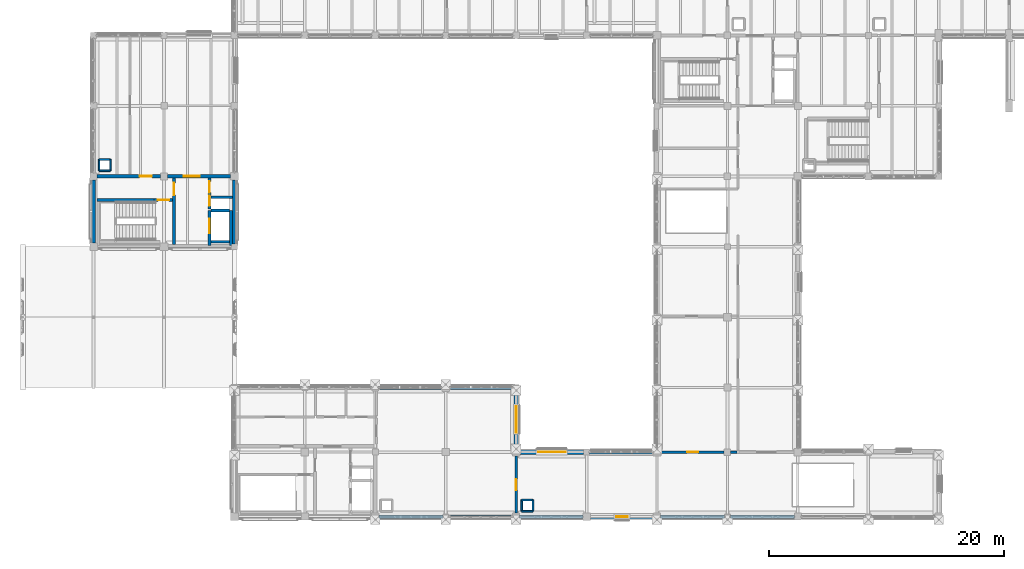
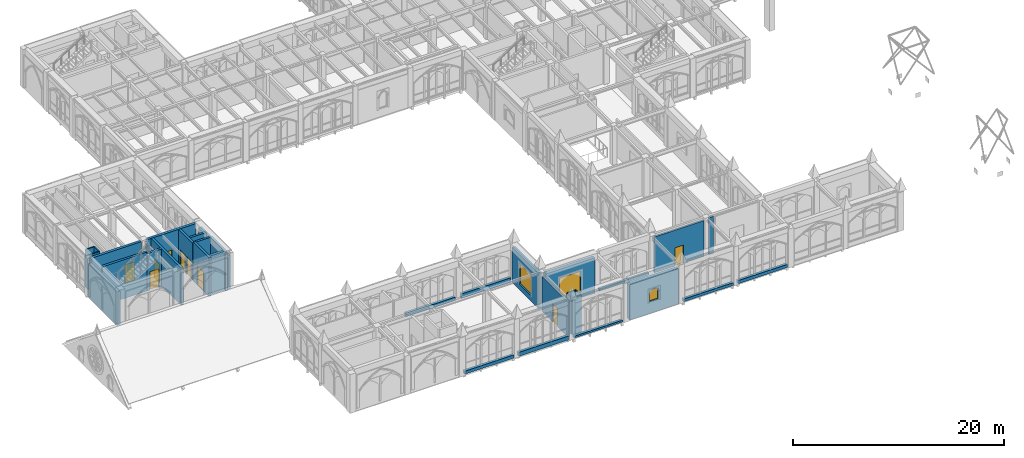
# One storey, part 102 of 143: 35 walls, 9 doors, 3 windows, 12 openings.
"""IFC4 building model written with IfcOpenShell, lengths in metres."""

from ifc_helpers import new_model, si_unit, direction, frame, frame_2d, origin, place, context, subcontext, project, spatial, rectangle, extrude, material, layer, layer_set, type_object, element, fill, save


model = new_model("IFC4")

# Units and contexts
model_context = context("Model", 3, precision=1e-05, world=origin(), true_north=direction((0.0, 1.0)))
body_context = subcontext(model_context, "Body", "Model", "MODEL_VIEW")
ifc_project = project(units=[si_unit("LENGTHUNIT", "METRE"), si_unit("AREAUNIT", "SQUARE_METRE"), si_unit("VOLUMEUNIT", "CUBIC_METRE"), si_unit("PLANEANGLEUNIT", "RADIAN"), si_unit("MASSUNIT", "GRAM", prefix="KILO")], contexts=[model_context])

# Site, building, storey
site_placement = place(None, origin())
site = spatial("IfcSite", under=ifc_project, at=site_placement, CompositionType="ELEMENT")
building_placement = place(site_placement, origin())
building = spatial("IfcBuilding", under=site, at=building_placement, Name="Cumevento Cable Car Station", CompositionType="ELEMENT")
storey_placement = place(building_placement, frame((0.0, 0.0, 9.0)))
storey = spatial("IfcBuildingStorey", under=building, at=storey_placement, Name="L03", CompositionType="ELEMENT", Elevation=9.0)

# Walls
ifc_material_1 = material(Name="Gnaisse Facoidal Stone Ashlar 85 MPa", Category="masonry")
ifc_layer_1 = layer(ifc_material_1, 0.294921875)
ifc_layer_set_1 = layer_set([ifc_layer_1], Name="Gnaisse Facoidal Stone Ashlar 85 MPa")
wall_type_1 = type_object("IfcWallType", Name="Exterior Envelope Wall EW-295 295", PredefinedType="SOLIDWALL", material=ifc_layer_set_1)
wall_1_placement = place(storey_placement, frame((39.75, 4.0, 0.0), z_axis=(0.0, 0.0, 1.0), x_axis=(-1.0, 0.0, 0.0)))
element("IfcWall", 1, at=wall_1_placement, inside=storey, type_object=wall_type_1, Name="Exterior Sill Curb Wall EW-295 L03 #183", PredefinedType="SOLIDWALL", context=body_context, shape_type="SweptSolid", body=[
    extrude(rectangle(XDim=5.425048828125, YDim=0.294921875, at=frame_2d((2.71240234375, 0.0))), origin(), (0.0, 0.0, 1.0), 0.360107421875),
])
wall_2_placement = place(storey_placement, frame((34.27490234375, 15.0, 0.0), z_axis=(0.0, 0.0, 1.0), x_axis=(1.0, 0.0, 0.0)))
element("IfcWall", 2, at=wall_2_placement, inside=storey, type_object=wall_type_1, Name="Exterior Sill Curb Wall EW-295 L03 #184", PredefinedType="SOLIDWALL", context=body_context, shape_type="SweptSolid", body=[
    extrude(rectangle(XDim=5.400146484375, YDim=0.294921875, at=frame_2d((2.7001953125, 0.0))), origin(), (0.0, 0.0, 1.0), 0.409912109375),
])
wall_3_placement = place(storey_placement, frame((45.699951171875, 4.0, 0.0), z_axis=(0.0, 0.0, 1.0), x_axis=(-1.0, 0.0, 0.0)))
element("IfcWall", 3, at=wall_3_placement, inside=storey, type_object=wall_type_1, Name="Exterior Sill Curb Wall EW-295 L03 #185", PredefinedType="SOLIDWALL", context=body_context, shape_type="SweptSolid", body=[
    extrude(rectangle(XDim=5.449951171875, YDim=0.294921875, at=frame_2d((2.72509765625, 0.0))), origin(), (0.0, 0.0, 1.0), 0.4599609375),
])
wall_4_placement = place(storey_placement, frame((40.324951171875, 15.0, 0.0), z_axis=(0.0, 0.0, 1.0), x_axis=(1.0, 0.0, 0.0)))
element("IfcWall", 4, at=wall_4_placement, inside=storey, type_object=wall_type_1, Name="Exterior Sill Curb Wall EW-295 L03 #186", PredefinedType="SOLIDWALL", context=body_context, shape_type="SweptSolid", body=[
    extrude(rectangle(XDim=5.425048828125, YDim=0.294921875, at=frame_2d((2.71240234375, 0.0))), origin(), (0.0, 0.0, 1.0), 0.52001953125),
])
wall_5_placement = place(storey_placement, frame((51.675048828125, 4.0, 0.0), z_axis=(0.0, 0.0, 1.0), x_axis=(-1.0, 0.0, 0.0)))
element("IfcWall", 5, at=wall_5_placement, inside=storey, type_object=wall_type_1, Name="Exterior Sill Curb Wall EW-295 L03 #190", PredefinedType="SOLIDWALL", context=body_context, shape_type="SweptSolid", body=[
    extrude(rectangle(XDim=5.375, YDim=0.294921875, at=frame_2d((2.6875, 0.0))), origin(), (0.0, 0.0, 1.0), 0.2099609375),
])
wall_6_placement = place(storey_placement, frame((52.25, 9.5, 0.0), z_axis=(0.0, 0.0, 1.0), x_axis=(1.0, 0.0, 0.0)))
element("IfcWall", 6, at=wall_6_placement, inside=storey, type_object=wall_type_1, Name="Exterior Sill Curb Wall EW-295 L03 #193", PredefinedType="SOLIDWALL", context=body_context, shape_type="SweptSolid", body=[
    extrude(rectangle(XDim=5.425048828125, YDim=0.294921875, at=frame_2d((2.71240234375, 0.0))), origin(), (0.0, 0.0, 1.0), 0.260009765625),
])
wall_7_placement = place(storey_placement, frame((63.75, 4.0, 0.0), z_axis=(0.0, 0.0, 1.0), x_axis=(-1.0, 0.0, 0.0)))
element("IfcWall", 7, at=wall_7_placement, inside=storey, type_object=wall_type_1, Name="Exterior Sill Curb Wall EW-295 L03 #194", PredefinedType="SOLIDWALL", context=body_context, shape_type="SweptSolid", body=[
    extrude(rectangle(XDim=5.449951171875, YDim=0.294921875, at=frame_2d((2.72509765625, 0.0))), origin(), (0.0, 0.0, 1.0), 0.31005859375),
])
wall_8_placement = place(storey_placement, frame((69.699951171875, 4.0, 0.0), z_axis=(0.0, 0.0, 1.0), x_axis=(-1.0, 0.0, 0.0)))
element("IfcWall", 8, at=wall_8_placement, inside=storey, type_object=wall_type_1, Name="Exterior Sill Curb Wall EW-295 L03 #195", PredefinedType="SOLIDWALL", context=body_context, shape_type="SweptSolid", body=[
    extrude(rectangle(XDim=5.449951171875, YDim=0.294921875, at=frame_2d((2.72509765625, 0.0))), origin(), (0.0, 0.0, 1.0), 0.360107421875),
])
ifc_material_2 = material(Name="Concrete C40/50", Category="concrete")
ifc_layer_2 = layer(ifc_material_2, 0.35498046875)
ifc_layer_set_2 = layer_set([ifc_layer_2], Name="Concrete C40/50")
wall_type_2 = type_object("IfcWallType", Name="Exterior Envelope Wall EW-355 355", PredefinedType="SOLIDWALL", material=ifc_layer_set_2)
wall_9_placement = place(storey_placement, frame((10.0, 27.324951171875, 0.0), z_axis=(0.0, 0.0, 1.0), x_axis=(0.0, 1.0, 0.0)))
element("IfcWall", 9, at=wall_9_placement, inside=storey, type_object=wall_type_2, Name="Exterior Wall EW-355 L03 #217", PredefinedType="SOLIDWALL", context=body_context, shape_type="SweptSolid", body=[
    extrude(rectangle(XDim=5.375, YDim=0.35498046875, at=frame_2d((2.6875, 0.0))), origin(), (0.0, 0.0, 1.0), 3.89306640625),
])
wall_10_placement = place(storey_placement, frame((22.0, 32.675048828125, 0.0), z_axis=(0.0, 0.0, 1.0), x_axis=(0.0, -1.0, 0.0)))
element("IfcWall", 10, at=wall_10_placement, inside=storey, type_object=wall_type_2, Name="Exterior Wall EW-355 L03 #218", PredefinedType="SOLIDWALL", context=body_context, shape_type="SweptSolid", body=[
    extrude(rectangle(XDim=5.425048828125, YDim=0.35498046875, at=frame_2d((2.71240234375, 0.0))), origin(), (0.0, 0.0, 1.0), 3.89306640625),
])

# Wall, opening, window
ifc_material_3 = material(Name="Concrete C40/50", Category="concrete")
ifc_layer_3 = layer(ifc_material_3, 0.3701171875)
ifc_layer_set_3 = layer_set([ifc_layer_3], Name="Concrete C40/50")
wall_type_3 = type_object("IfcWallType", Name="Exterior Envelope Wall EW-370 370", PredefinedType="SOLIDWALL", material=ifc_layer_set_3)
wall_11_placement = place(storey_placement, frame((46.0, 14.75, 0.0), z_axis=(0.0, 0.0, 1.0), x_axis=(0.0, -1.0, 0.0)))
wall_11 = element("IfcWall", 11, at=wall_11_placement, inside=storey, type_object=wall_type_3, Name="Exterior Wall EW-370 L03 #189", PredefinedType="SOLIDWALL", context=body_context, shape_type="SweptSolid", body=[
    extrude(rectangle(XDim=4.925048828125, YDim=0.3701171875, at=frame_2d((2.46240234375, 0.0))), origin(), (0.0, 0.0, 1.0), 4.093017578125),
])
opening_1_placement = place(wall_11_placement, frame((1.33740234375, 0.0, 0.64990234375)))
opening_1 = element("IfcOpeningElement", 12, at=opening_1_placement, cuts=wall_11, Name="Opening WN-L03-063", PredefinedType="OPENING", context=body_context, shape_type="SweptSolid", body=[
    extrude(rectangle(XDim=2.25, YDim=2.449951171875, at=frame_2d((1.125, 1.22509765625))), frame((0.0, 0.195068359375, 0.0), z_axis=(0.0, -1.0, 0.0), x_axis=(1.0, 0.0, 0.0)), (0.0, 0.0, 1.0), 0.39013671875),
])
ifc_material_4 = material(Name="Anodised Bronze Aluminium & Laminated Solar Glass", Category="aluminium")
window_type_1 = type_object("IfcWindowType", Name="Lancet Window WN-15 2250x2450", PartitioningType="DOUBLE_PANEL_VERTICAL", PredefinedType="WINDOW", material=ifc_material_4)
window_1_placement = place(opening_1_placement, origin())
window_1 = element("IfcWindow", 13, at=window_1_placement, inside=storey, type_object=window_type_1, Name="Lancet Window WN-L03-063 (WN-15)", OverallHeight=2.449951171875, OverallWidth=2.25, PartitioningType="SINGLE_PANEL", PredefinedType="WINDOW", context=body_context, shape_type="SweptSolid", body=[
    extrude(rectangle(XDim=2.25, YDim=2.449951171875, at=frame_2d((1.125, 1.22509765625))), frame((0.0, 0.030029296875, 0.0), z_axis=(0.0, -1.0, 0.0), x_axis=(1.0, 0.0, 0.0)), (0.0, 0.0, 1.0), 0.06005859375),
])
fill(opening_1, window_1)

ifc_material_5 = material(Name="Concrete C40/50", Category="concrete")
ifc_layer_4 = layer(ifc_material_5, 0.39990234375)
ifc_layer_set_4 = layer_set([ifc_layer_4], Name="Concrete C40/50")
wall_type_4 = type_object("IfcWallType", Name="Exterior Envelope Wall EW-400 400", PredefinedType="SOLIDWALL", material=ifc_layer_set_4)
wall_12_placement = place(storey_placement, frame((46.324951171875, 9.5, 0.0), z_axis=(0.0, 0.0, 1.0), x_axis=(1.0, 0.0, 0.0)))
wall_12 = element("IfcWall", 14, at=wall_12_placement, inside=storey, type_object=wall_type_4, Name="Exterior Wall EW-400 L03 #191", PredefinedType="SOLIDWALL", context=body_context, shape_type="SweptSolid", body=[
    extrude(rectangle(XDim=5.425048828125, YDim=0.39990234375, at=frame_2d((2.71240234375, 0.0))), origin(), (0.0, 0.0, 1.0), 4.093017578125),
])
opening_2_placement = place(wall_12_placement, frame((1.53759765625, 0.0, 0.64990234375)))
opening_2 = element("IfcOpeningElement", 15, at=opening_2_placement, cuts=wall_12, Name="Opening WN-L03-064", PredefinedType="OPENING", context=body_context, shape_type="SweptSolid", body=[
    extrude(rectangle(XDim=2.35009765625, YDim=2.449951171875, at=frame_2d((1.175048828125, 1.22509765625))), frame((0.0, 0.2099609375, 0.0), z_axis=(0.0, -1.0, 0.0), x_axis=(1.0, 0.0, 0.0)), (0.0, 0.0, 1.0), 0.419921875),
])
ifc_material_6 = material(Name="Anodised Bronze Aluminium & Laminated Solar Glass", Category="aluminium")
window_type_2 = type_object("IfcWindowType", Name="Lancet Window WN-16 2350x2450", PartitioningType="DOUBLE_PANEL_VERTICAL", PredefinedType="WINDOW", material=ifc_material_6)
window_2_placement = place(opening_2_placement, origin())
window_2 = element("IfcWindow", 16, at=window_2_placement, inside=storey, type_object=window_type_2, Name="Lancet Window WN-L03-064 (WN-16)", OverallHeight=2.449951171875, OverallWidth=2.35009765625, PartitioningType="SINGLE_PANEL", PredefinedType="WINDOW", context=body_context, shape_type="SweptSolid", body=[
    extrude(rectangle(XDim=2.35009765625, YDim=2.449951171875, at=frame_2d((1.175048828125, 1.22509765625))), frame((0.0, 0.030029296875, 0.0), z_axis=(0.0, -1.0, 0.0), x_axis=(1.0, 0.0, 0.0)), (0.0, 0.0, 1.0), 0.06005859375),
])
fill(opening_2, window_2)

ifc_material_7 = material(Name="Gnaisse Facoidal Stone Ashlar 85 MPa", Category="masonry")
ifc_layer_5 = layer(ifc_material_7, 0.4150390625)
ifc_layer_set_5 = layer_set([ifc_layer_5], Name="Gnaisse Facoidal Stone Ashlar 85 MPa")
wall_type_5 = type_object("IfcWallType", Name="Exterior Envelope Wall EW-415 415", PredefinedType="SOLIDWALL", material=ifc_layer_set_5)
wall_13_placement = place(storey_placement, frame((57.699951171875, 4.0, 0.0), z_axis=(0.0, 0.0, 1.0), x_axis=(-1.0, 0.0, 0.0)))
wall_13 = element("IfcWall", 17, at=wall_13_placement, inside=storey, type_object=wall_type_5, Name="Exterior Wall EW-415 L03 #192", PredefinedType="SOLIDWALL", context=body_context, shape_type="SweptSolid", body=[
    extrude(rectangle(XDim=5.375, YDim=0.4150390625, at=frame_2d((2.6875, 0.0))), origin(), (0.0, 0.0, 1.0), 4.093017578125),
])
opening_3_placement = place(wall_13_placement, frame((2.1875, 0.0, 1.35009765625)))
opening_3 = element("IfcOpeningElement", 18, at=opening_3_placement, cuts=wall_13, Name="Opening WN-L03-065", PredefinedType="OPENING", context=body_context, shape_type="SweptSolid", body=[
    extrude(rectangle(XDim=1.0, YDim=1.35009765625, at=frame_2d((0.5, 0.675048828125))), frame((0.0, 0.217529296875, 0.0), z_axis=(0.0, -1.0, 0.0), x_axis=(1.0, 0.0, 0.0)), (0.0, 0.0, 1.0), 0.43505859375),
])
ifc_material_8 = material(Name="Anodised Bronze Aluminium & Laminated Solar Glass", Category="aluminium")
window_type_3 = type_object("IfcWindowType", Name="Lancet Window WN-17 1000x1350", PartitioningType="SINGLE_PANEL", PredefinedType="WINDOW", material=ifc_material_8)
window_3_placement = place(opening_3_placement, origin())
window_3 = element("IfcWindow", 19, at=window_3_placement, inside=storey, type_object=window_type_3, Name="Lancet Window WN-L03-065 (WN-17)", OverallHeight=1.35009765625, OverallWidth=1.0, PartitioningType="SINGLE_PANEL", PredefinedType="WINDOW", context=body_context, shape_type="SweptSolid", body=[
    extrude(rectangle(XDim=1.0, YDim=1.35009765625, at=frame_2d((0.5, 0.675048828125))), frame((0.0, 0.030029296875, 0.0), z_axis=(0.0, -1.0, 0.0), x_axis=(1.0, 0.0, 0.0)), (0.0, 0.0, 1.0), 0.06005859375),
])
fill(opening_3, window_3)

# Wall, opening, door
ifc_material_9 = material(Name="Concrete C40/50", Category="concrete")
ifc_layer_6 = layer(ifc_material_9, 0.219970703125)
ifc_layer_set_6 = layer_set([ifc_layer_6], Name="Concrete C40/50")
wall_type_6 = type_object("IfcWallType", Name="Interior Partition FW-220 220", PredefinedType="SOLIDWALL", material=ifc_layer_set_6)
wall_14_placement = place(storey_placement, frame((46.0, 4.302001953125, 0.0), z_axis=(0.0, 0.0, 1.0), x_axis=(0.0, 1.0, 0.0)))
wall_14 = element("IfcWall", 20, at=wall_14_placement, inside=storey, type_object=wall_type_6, Name="Interior Wall FW-220 L03 #629", PredefinedType="SOLIDWALL", context=body_context, shape_type="SweptSolid", body=[
    extrude(rectangle(XDim=4.87109375, YDim=0.219970703125, at=frame_2d((2.435546875, 0.0))), origin(), (0.0, 0.0, 1.0), 4.04296875),
])
opening_4_placement = place(wall_14_placement, frame((1.965576171875, 0.0, 0.0)))
opening_4 = element("IfcOpeningElement", 21, at=opening_4_placement, cuts=wall_14, Name="Opening DR-L03-232", PredefinedType="OPENING", context=body_context, shape_type="SweptSolid", body=[
    extrude(rectangle(XDim=0.93994140625, YDim=2.10009765625, at=frame_2d((0.469970703125, 1.050048828125))), frame((0.0, 0.119873046875, 0.0), z_axis=(0.0, -1.0, 0.0), x_axis=(1.0, 0.0, 0.0)), (0.0, 0.0, 1.0), 0.239990234375),
])
ifc_material_10 = material(Name="Galvanised Painted Steel Fire Door", Category="steel")
door_type_1 = type_object("IfcDoorType", Name="Interior Door FD-08 940x2100", OperationType="NOTDEFINED", PredefinedType="DOOR", material=ifc_material_10)
door_1_placement = place(opening_4_placement, origin())
door_1 = element("IfcDoor", 22, at=door_1_placement, inside=storey, type_object=door_type_1, Name="Interior Door DR-L03-232 (FD-08)", OperationType="SINGLE_SWING_RIGHT", OverallHeight=2.10009765625, OverallWidth=0.93994140625, PredefinedType="DOOR", context=body_context, shape_type="SweptSolid", body=[
    extrude(rectangle(XDim=0.93994140625, YDim=2.10009765625, at=frame_2d((0.469970703125, 1.050048828125))), frame((0.0, 0.02490234375, 0.0), z_axis=(0.0, -1.0, 0.0), x_axis=(1.0, 0.0, 0.0)), (0.0, 0.0, 1.0), 0.050048828125),
])
fill(opening_4, door_1)

wall_15_placement = place(storey_placement, frame((58.326904296875, 9.5, 0.0), z_axis=(0.0, 0.0, 1.0), x_axis=(1.0, 0.0, 0.0)))
wall_15 = element("IfcWall", 23, at=wall_15_placement, inside=storey, type_object=wall_type_6, Name="Interior Wall FW-220 L03 #636", PredefinedType="SOLIDWALL", context=body_context, shape_type="SweptSolid", body=[
    extrude(rectangle(XDim=5.39599609375, YDim=0.219970703125, at=frame_2d((2.697998046875, 0.0))), origin(), (0.0, 0.0, 1.0), 4.14599609375),
])
opening_5_placement = place(wall_15_placement, frame((2.22802734375, 0.0, 0.0)))
opening_5 = element("IfcOpeningElement", 24, at=opening_5_placement, cuts=wall_15, Name="Opening DR-L03-237", PredefinedType="OPENING", context=body_context, shape_type="SweptSolid", body=[
    extrude(rectangle(XDim=0.93994140625, YDim=2.10009765625, at=frame_2d((0.469970703125, 1.050048828125))), frame((0.0, 0.119873046875, 0.0), z_axis=(0.0, -1.0, 0.0), x_axis=(1.0, 0.0, 0.0)), (0.0, 0.0, 1.0), 0.239990234375),
])
door_2_placement = place(opening_5_placement, origin())
door_2 = element("IfcDoor", 25, at=door_2_placement, inside=storey, type_object=door_type_1, Name="Interior Door DR-L03-237 (FD-08)", OperationType="SINGLE_SWING_LEFT", OverallHeight=2.10009765625, OverallWidth=0.93994140625, PredefinedType="DOOR", context=body_context, shape_type="SweptSolid", body=[
    extrude(rectangle(XDim=0.93994140625, YDim=2.10009765625, at=frame_2d((0.469970703125, 1.050048828125))), frame((0.0, 0.02490234375, 0.0), z_axis=(0.0, -1.0, 0.0), x_axis=(1.0, 0.0, 0.0)), (0.0, 0.0, 1.0), 0.050048828125),
])
fill(opening_5, door_2)

# Walls
wall_16_placement = place(storey_placement, frame((64.277099609375, 9.5, 0.0), z_axis=(0.0, 0.0, 1.0), x_axis=(1.0, 0.0, 0.0)))
element("IfcWall", 26, at=wall_16_placement, inside=storey, type_object=wall_type_6, Name="Interior Wall FW-220 L03 #637", PredefinedType="SOLIDWALL", context=body_context, shape_type="SweptSolid", body=[
    extrude(rectangle(XDim=0.52294921875, YDim=0.219970703125, at=frame_2d((0.261474609375, 0.0))), origin(), (0.0, 0.0, 1.0), 4.239990234375),
])
ifc_material_11 = material(Name="Gypsum Board & Insulated Stud Partition", Category="gypsum")
ifc_layer_7 = layer(ifc_material_11, 0.14501953125)
ifc_layer_set_7 = layer_set([ifc_layer_7], Name="Gypsum Board & Insulated Stud Partition")
wall_type_7 = type_object("IfcWallType", Name="Interior Partition PT-145 145", PredefinedType="PARTITIONING", material=ifc_layer_set_7)
for number, where, z_axis, x_axis, name in (
    (27, (46.469970703125, 4.469970703125, 0.0), (0.0, 0.0, 1.0), (1.0, 0.0, 0.0), "Interior Wall PT-145 L03 #13"),
    (28, (47.429931640625, 4.469970703125, 0.0), (0.0, 0.0, 1.0), (0.0, 1.0, 0.0), "Interior Wall PT-145 L03 #14"),
    (29, (47.429931640625, 5.429931640625, 0.0), (0.0, 0.0, 1.0), (-1.0, 0.0, 0.0), "Interior Wall PT-145 L03 #15"),
    (30, (46.469970703125, 5.429931640625, 0.0), (0.0, 0.0, 1.0), (0.0, -1.0, 0.0), "Interior Wall PT-145 L03 #16"),
):
    element("IfcWall", number, at=place(storey_placement, frame(where, z_axis=z_axis, x_axis=x_axis)), inside=storey, type_object=wall_type_7, Name=name, PredefinedType="PARTITIONING", context=body_context, shape_type="SweptSolid", body=[
        extrude(rectangle(XDim=0.9599609375, YDim=0.14501953125, at=frame_2d((0.47998046875, 0.0))), origin(), (0.0, 0.0, 1.0), 4.239990234375),
    ])
for number, where, z_axis, x_axis, name in (
    (31, (10.469970703125, 33.469970703125, 0.0), (0.0, 0.0, 1.0), (1.0, 0.0, 0.0), "Interior Wall PT-145 L03 #37"),
    (32, (11.429931640625, 33.469970703125, 0.0), (0.0, 0.0, 1.0), (0.0, 1.0, 0.0), "Interior Wall PT-145 L03 #38"),
    (33, (11.429931640625, 34.429931640625, 0.0), (0.0, 0.0, 1.0), (-1.0, 0.0, 0.0), "Interior Wall PT-145 L03 #39"),
    (34, (10.469970703125, 34.429931640625, 0.0), (0.0, 0.0, 1.0), (0.0, -1.0, 0.0), "Interior Wall PT-145 L03 #40"),
):
    element("IfcWall", number, at=place(storey_placement, frame(where, z_axis=z_axis, x_axis=x_axis)), inside=storey, type_object=wall_type_7, Name=name, PredefinedType="PARTITIONING", context=body_context, shape_type="SweptSolid", body=[
        extrude(rectangle(XDim=0.9599609375, YDim=0.14501953125, at=frame_2d((0.47998046875, 0.0))), origin(), (0.0, 0.0, 1.0), 4.300048828125),
    ])
ifc_material_12 = material(Name="Concrete C40/50", Category="concrete")
ifc_layer_8 = layer(ifc_material_12, 0.22998046875)
ifc_layer_set_8 = layer_set([ifc_layer_8], Name="Concrete C40/50")
wall_type_8 = type_object("IfcWallType", Name="Interior Shear Wall CW-230 230", PredefinedType="SHEAR", material=ifc_layer_set_8)
wall_17_placement = place(storey_placement, frame((20.0048828125, 27.419921875, 0.0), z_axis=(0.0, 0.0, 1.0), x_axis=(1.0, 0.0, 0.0)))
element("IfcWall", 35, at=wall_17_placement, inside=storey, type_object=wall_type_8, Name="Interior Wall CW-230 L03 #307", PredefinedType="SHEAR", context=body_context, shape_type="SweptSolid", body=[
    extrude(rectangle(XDim=1.580078125, YDim=0.22998046875, at=frame_2d((0.7900390625, 0.0))), origin(), (0.0, 0.0, 1.0), 4.5),
])
wall_18_placement = place(storey_placement, frame((21.699951171875, 27.114990234375, 0.0), z_axis=(0.0, 0.0, 1.0), x_axis=(0.0, 1.0, 0.0)))
element("IfcWall", 36, at=wall_18_placement, inside=storey, type_object=wall_type_8, Name="Interior Wall CW-230 L03 #308", PredefinedType="SHEAR", context=body_context, shape_type="SweptSolid", body=[
    extrude(rectangle(XDim=2.965087890625, YDim=0.22998046875, at=frame_2d((1.482421875, 0.0))), origin(), (0.0, 0.0, 1.0), 4.5),
])
wall_19_placement = place(storey_placement, frame((20.0048828125, 30.080078125, 0.0), z_axis=(0.0, 0.0, 1.0), x_axis=(1.0, 0.0, 0.0)))
element("IfcWall", 37, at=wall_19_placement, inside=storey, type_object=wall_type_8, Name="Interior Wall CW-230 L03 #309", PredefinedType="SHEAR", context=body_context, shape_type="SweptSolid", body=[
    extrude(rectangle(XDim=1.580078125, YDim=0.22998046875, at=frame_2d((0.7900390625, 0.0))), origin(), (0.0, 0.0, 1.0), 4.5),
])
wall_20_placement = place(storey_placement, frame((20.0048828125, 31.219970703125, 0.0), z_axis=(0.0, 0.0, 1.0), x_axis=(1.0, 0.0, 0.0)))
element("IfcWall", 38, at=wall_20_placement, inside=storey, type_object=wall_type_8, Name="Interior Wall CW-230 L03 #311", PredefinedType="SHEAR", context=body_context, shape_type="SweptSolid", body=[
    extrude(rectangle(XDim=1.820068359375, YDim=0.22998046875, at=frame_2d((0.91015625, 0.0))), origin(), (0.0, 0.0, 1.0), 4.300048828125),
])
ifc_material_13 = material(Name="Concrete C40/50", Category="concrete")
ifc_layer_9 = layer(ifc_material_13, 0.25)
ifc_layer_set_9 = layer_set([ifc_layer_9], Name="Concrete C40/50")
wall_type_9 = type_object("IfcWallType", Name="Interior Shear Wall CW-250 250", PredefinedType="SHEAR", material=ifc_layer_set_9)
wall_21_placement = place(storey_placement, frame((10.2900390625, 30.97509765625, 0.0), z_axis=(0.0, 0.0, 1.0), x_axis=(1.0, 0.0, 0.0)))
element("IfcWall", 39, at=wall_21_placement, inside=storey, type_object=wall_type_9, Name="Interior Wall CW-250 L03 #303", PredefinedType="SHEAR", context=body_context, shape_type="SweptSolid", body=[
    extrude(rectangle(XDim=4.869873046875, YDim=0.25, at=frame_2d((2.43505859375, 0.0))), origin(), (0.0, 0.0, 1.0), 4.5),
])

# Wall, opening, door
wall_22_placement = place(storey_placement, frame((15.159912109375, 30.97509765625, 0.0), z_axis=(0.0, 0.0, 1.0), x_axis=(1.0, 0.0, 0.0)))
wall_22 = element("IfcWall", 40, at=wall_22_placement, inside=storey, type_object=wall_type_9, Name="Interior Wall CW-250 L03 #304", PredefinedType="SHEAR", context=body_context, shape_type="SweptSolid", body=[
    extrude(rectangle(XDim=1.580078125, YDim=0.25, at=frame_2d((0.7900390625, 0.0))), origin(), (0.0, 0.0, 1.0), 4.300048828125),
])
opening_6_placement = place(wall_22_placement, frame((0.31005859375, 0.0, 0.0)))
opening_6 = element("IfcOpeningElement", 41, at=opening_6_placement, cuts=wall_22, Name="Opening DR-L03-081", PredefinedType="OPENING", context=body_context, shape_type="SweptSolid", body=[
    extrude(rectangle(XDim=0.9599609375, YDim=2.1201171875, at=frame_2d((0.47998046875, 1.06005859375))), frame((0.0, 0.135009765625, 0.0), z_axis=(0.0, -1.0, 0.0), x_axis=(1.0, 0.0, 0.0)), (0.0, 0.0, 1.0), 0.27001953125),
])
ifc_material_14 = material(Name="Galvanised Painted Steel Fire Door", Category="steel")
door_type_2 = type_object("IfcDoorType", Name="Interior Door FD-01 960x2120", OperationType="NOTDEFINED", PredefinedType="DOOR", material=ifc_material_14)
door_3_placement = place(opening_6_placement, origin())
door_3 = element("IfcDoor", 42, at=door_3_placement, inside=storey, type_object=door_type_2, Name="Stair ST-03 Enclosure Door L03", OperationType="SINGLE_SWING_RIGHT", OverallHeight=2.1201171875, OverallWidth=0.9599609375, PredefinedType="DOOR", context=body_context, shape_type="SweptSolid", body=[
    extrude(rectangle(XDim=0.9599609375, YDim=2.1201171875, at=frame_2d((0.47998046875, 1.06005859375))), frame((0.0, 0.02490234375, 0.0), z_axis=(0.0, -1.0, 0.0), x_axis=(1.0, 0.0, 0.0)), (0.0, 0.0, 1.0), 0.050048828125),
])
fill(opening_6, door_3)

wall_23_placement = place(storey_placement, frame((16.864990234375, 27.175048828125, 0.0), z_axis=(0.0, 0.0, 1.0), x_axis=(0.0, 1.0, 0.0)))
wall_23 = element("IfcWall", 43, at=wall_23_placement, inside=storey, type_object=wall_type_9, Name="Interior Wall CW-250 L03 #305", PredefinedType="SHEAR", context=body_context, shape_type="SweptSolid", body=[
    extrude(rectangle(XDim=5.6875, YDim=0.25, at=frame_2d((2.84375, 0.0))), origin(), (0.0, 0.0, 1.0), 4.300048828125),
])
opening_7_placement = place(wall_23_placement, frame((4.22509765625, 0.0, 0.0)))
opening_7 = element("IfcOpeningElement", 44, at=opening_7_placement, cuts=wall_23, Name="Opening DR-L03-082", PredefinedType="OPENING", context=body_context, shape_type="SweptSolid", body=[
    extrude(rectangle(XDim=1.0400390625, YDim=2.139892578125, at=frame_2d((0.52001953125, 1.06982421875))), frame((0.0, 0.135009765625, 0.0), z_axis=(0.0, -1.0, 0.0), x_axis=(1.0, 0.0, 0.0)), (0.0, 0.0, 1.0), 0.27001953125),
])
ifc_material_15 = material(Name="Galvanised Painted Steel Fire Door", Category="steel")
door_type_3 = type_object("IfcDoorType", Name="Interior Door FD-02 1040x2140", OperationType="NOTDEFINED", PredefinedType="DOOR", material=ifc_material_15)
door_4_placement = place(opening_7_placement, origin())
door_4 = element("IfcDoor", 45, at=door_4_placement, inside=storey, type_object=door_type_3, Name="Lobby Vestibule Door CORE3 L03", OperationType="SINGLE_SWING_LEFT", OverallHeight=2.139892578125, OverallWidth=1.0400390625, PredefinedType="DOOR", context=body_context, shape_type="SweptSolid", body=[
    extrude(rectangle(XDim=1.0400390625, YDim=2.139892578125, at=frame_2d((0.52001953125, 1.06982421875))), frame((0.0, 0.02490234375, 0.0), z_axis=(0.0, -1.0, 0.0), x_axis=(1.0, 0.0, 0.0)), (0.0, 0.0, 1.0), 0.050048828125),
])
fill(opening_7, door_4)

wall_24_placement = place(storey_placement, frame((19.8798828125, 27.114990234375, 0.0), z_axis=(0.0, 0.0, 1.0), x_axis=(0.0, 1.0, 0.0)))
wall_24 = element("IfcWall", 46, at=wall_24_placement, inside=storey, type_object=wall_type_9, Name="Interior Wall CW-250 L03 #306", PredefinedType="SHEAR", context=body_context, shape_type="SweptSolid", body=[
    extrude(rectangle(XDim=2.965087890625, YDim=0.25, at=frame_2d((1.482421875, 0.0))), origin(), (0.0, 0.0, 1.0), 4.5),
])
opening_8_placement = place(wall_24_placement, frame((1.014892578125, 0.0, 0.0)))
opening_8 = element("IfcOpeningElement", 47, at=opening_8_placement, cuts=wall_24, Name="Opening LD-LF03-L03", PredefinedType="OPENING", context=body_context, shape_type="SweptSolid", body=[
    extrude(rectangle(XDim=1.239990234375, YDim=2.199951171875, at=frame_2d((0.6201171875, 1.10009765625))), frame((0.0, 0.135009765625, 0.0), z_axis=(0.0, -1.0, 0.0), x_axis=(1.0, 0.0, 0.0)), (0.0, 0.0, 1.0), 0.27001953125),
])
ifc_material_16 = material(Name="Brushed Stainless Steel Lift Door", Category="steel")
door_type_4 = type_object("IfcDoorType", Name="Interior Door LD-03 1240x2200", OperationType="NOTDEFINED", PredefinedType="DOOR", material=ifc_material_16)
door_5_placement = place(opening_8_placement, origin())
door_5 = element("IfcDoor", 48, at=door_5_placement, inside=storey, type_object=door_type_4, Name="Lift Landing Door LD-LF03-L03", OperationType="SLIDING_TO_LEFT", OverallHeight=2.199951171875, OverallWidth=1.239990234375, PredefinedType="DOOR", context=body_context, shape_type="SweptSolid", body=[
    extrude(rectangle(XDim=1.239990234375, YDim=2.199951171875, at=frame_2d((0.6201171875, 1.10009765625))), frame((0.0, 0.02490234375, 0.0), z_axis=(0.0, -1.0, 0.0), x_axis=(1.0, 0.0, 0.0)), (0.0, 0.0, 1.0), 0.050048828125),
])
fill(opening_8, door_5)

# Wall, openings, doors
wall_25_placement = place(storey_placement, frame((19.8798828125, 30.199951171875, 0.0), z_axis=(0.0, 0.0, 1.0), x_axis=(0.0, 1.0, 0.0)))
wall_25 = element("IfcWall", 49, at=wall_25_placement, inside=storey, type_object=wall_type_9, Name="Interior Wall CW-250 L03 #310", PredefinedType="SHEAR", context=body_context, shape_type="SweptSolid", body=[
    extrude(rectangle(XDim=2.66259765625, YDim=0.25, at=frame_2d((1.331298828125, 0.0))), origin(), (0.0, 0.0, 1.0), 4.300048828125),
])
opening_9_placement = place(wall_25_placement, frame((0.280029296875, 0.0, 0.0)))
opening_9 = element("IfcOpeningElement", 50, at=opening_9_placement, cuts=wall_25, Name="Opening DR-L03-084", PredefinedType="OPENING", context=body_context, shape_type="SweptSolid", body=[
    extrude(rectangle(XDim=0.8798828125, YDim=2.080078125, at=frame_2d((0.43994140625, 1.0400390625))), frame((0.0, 0.135009765625, 0.0), z_axis=(0.0, -1.0, 0.0), x_axis=(1.0, 0.0, 0.0)), (0.0, 0.0, 1.0), 0.27001953125),
])
opening_10_placement = place(wall_25_placement, frame((1.39990234375, 0.0, 0.0)))
opening_10 = element("IfcOpeningElement", 51, at=opening_10_placement, cuts=wall_25, Name="Opening DR-L03-085", PredefinedType="OPENING", context=body_context, shape_type="SweptSolid", body=[
    extrude(rectangle(XDim=0.9599609375, YDim=2.1201171875, at=frame_2d((0.47998046875, 1.06005859375))), frame((0.0, 0.135009765625, 0.0), z_axis=(0.0, -1.0, 0.0), x_axis=(1.0, 0.0, 0.0)), (0.0, 0.0, 1.0), 0.27001953125),
])
door_6_placement = place(opening_10_placement, origin())
door_6 = element("IfcDoor", 52, at=door_6_placement, inside=storey, type_object=door_type_2, Name="East Vestibule Lobby Door CORE3 L03", OperationType="SINGLE_SWING_LEFT", OverallHeight=2.1201171875, OverallWidth=0.9599609375, PredefinedType="DOOR", context=body_context, shape_type="SweptSolid", body=[
    extrude(rectangle(XDim=0.9599609375, YDim=2.1201171875, at=frame_2d((0.47998046875, 1.06005859375))), frame((0.0, 0.02490234375, 0.0), z_axis=(0.0, -1.0, 0.0), x_axis=(1.0, 0.0, 0.0)), (0.0, 0.0, 1.0), 0.050048828125),
])
fill(opening_10, door_6)
ifc_material_17 = material(Name="Galvanised Painted Steel Fire Door", Category="steel")
door_type_5 = type_object("IfcDoorType", Name="Interior Door FD-07 880x2080", OperationType="NOTDEFINED", PredefinedType="DOOR", material=ifc_material_17)
door_7_placement = place(opening_9_placement, origin())
door_7 = element("IfcDoor", 53, at=door_7_placement, inside=storey, type_object=door_type_5, Name="MEP Riser Access Door CORE3 L03", OperationType="SINGLE_SWING_RIGHT", OverallHeight=2.080078125, OverallWidth=0.8798828125, PredefinedType="DOOR", context=body_context, shape_type="SweptSolid", body=[
    extrude(rectangle(XDim=0.8798828125, YDim=2.080078125, at=frame_2d((0.43994140625, 1.0400390625))), frame((0.0, 0.02490234375, 0.0), z_axis=(0.0, -1.0, 0.0), x_axis=(1.0, 0.0, 0.0)), (0.0, 0.0, 1.0), 0.050048828125),
])
fill(opening_9, door_7)

# Wall, opening, door
ifc_material_18 = material(Name="Concrete C40/50", Category="concrete")
ifc_layer_10 = layer(ifc_material_18, 0.27490234375)
ifc_layer_set_10 = layer_set([ifc_layer_10], Name="Concrete C40/50")
wall_type_10 = type_object("IfcWallType", Name="Interior Shear Wall CW-275 275", PredefinedType="SHEAR", material=ifc_layer_set_10)
wall_26_placement = place(storey_placement, frame((10.300048828125, 33.0, 0.0), z_axis=(0.0, 0.0, 1.0), x_axis=(1.0, 0.0, 0.0)))
wall_26 = element("IfcWall", 54, at=wall_26_placement, inside=storey, type_object=wall_type_10, Name="Interior Wall CW-275 L03 #299", PredefinedType="SHEAR", context=body_context, shape_type="SweptSolid", body=[
    extrude(rectangle(XDim=5.39990234375, YDim=0.27490234375, at=frame_2d((2.699951171875, 0.0))), origin(), (0.0, 0.0, 1.0), 4.300048828125),
])
opening_11_placement = place(wall_26_placement, frame((3.6298828125, 0.0, 0.0)))
opening_11 = element("IfcOpeningElement", 55, at=opening_11_placement, cuts=wall_26, Name="Opening DR-L03-079", PredefinedType="OPENING", context=body_context, shape_type="SweptSolid", body=[
    extrude(rectangle(XDim=1.0400390625, YDim=2.139892578125, at=frame_2d((0.52001953125, 1.06982421875))), frame((0.0, 0.1474609375, 0.0), z_axis=(0.0, -1.0, 0.0), x_axis=(1.0, 0.0, 0.0)), (0.0, 0.0, 1.0), 0.294921875),
])
door_8_placement = place(opening_11_placement, origin())
door_8 = element("IfcDoor", 56, at=door_8_placement, inside=storey, type_object=door_type_3, Name="Core CORE3 N_vest Fire Door L03", OperationType="SINGLE_SWING_LEFT", OverallHeight=2.139892578125, OverallWidth=1.0400390625, PredefinedType="DOOR", context=body_context, shape_type="SweptSolid", body=[
    extrude(rectangle(XDim=1.0400390625, YDim=2.139892578125, at=frame_2d((0.52001953125, 1.06982421875))), frame((0.0, 0.02490234375, 0.0), z_axis=(0.0, -1.0, 0.0), x_axis=(1.0, 0.0, 0.0)), (0.0, 0.0, 1.0), 0.050048828125),
])
fill(opening_11, door_8)

wall_27_placement = place(storey_placement, frame((16.300048828125, 33.0, 0.0), z_axis=(0.0, 0.0, 1.0), x_axis=(1.0, 0.0, 0.0)))
wall_27 = element("IfcWall", 57, at=wall_27_placement, inside=storey, type_object=wall_type_10, Name="Interior Wall CW-275 L03 #300", PredefinedType="SHEAR", context=body_context, shape_type="SweptSolid", body=[
    extrude(rectangle(XDim=5.375, YDim=0.27490234375, at=frame_2d((2.6875, 0.0))), origin(), (0.0, 0.0, 1.0), 4.300048828125),
])
opening_12_placement = place(wall_27_placement, frame((1.360107421875, 0.0, 0.0)))
opening_12 = element("IfcOpeningElement", 58, at=opening_12_placement, cuts=wall_27, Name="Opening DR-L03-080", PredefinedType="OPENING", context=body_context, shape_type="SweptSolid", body=[
    extrude(rectangle(XDim=1.3798828125, YDim=2.159912109375, at=frame_2d((0.68994140625, 1.080078125))), frame((0.0, 0.1474609375, 0.0), z_axis=(0.0, -1.0, 0.0), x_axis=(1.0, 0.0, 0.0)), (0.0, 0.0, 1.0), 0.294921875),
])
ifc_material_19 = material(Name="Galvanised Painted Steel Fire Door", Category="steel")
door_type_6 = type_object("IfcDoorType", Name="Interior Door FD-04 1380x2160", OperationType="NOTDEFINED", PredefinedType="DOOR", material=ifc_material_19)
door_9_placement = place(opening_12_placement, origin())
door_9 = element("IfcDoor", 59, at=door_9_placement, inside=storey, type_object=door_type_6, Name="Core CORE3 N_lobby Fire Door L03", OperationType="DOUBLE_DOOR_SINGLE_SWING", OverallHeight=2.159912109375, OverallWidth=1.3798828125, PredefinedType="DOOR", context=body_context, shape_type="SweptSolid", body=[
    extrude(rectangle(XDim=1.3798828125, YDim=2.159912109375, at=frame_2d((0.68994140625, 1.080078125))), frame((0.0, 0.02490234375, 0.0), z_axis=(0.0, -1.0, 0.0), x_axis=(1.0, 0.0, 0.0)), (0.0, 0.0, 1.0), 0.050048828125),
])
fill(opening_12, door_9)

save(model, "model.ifc")
